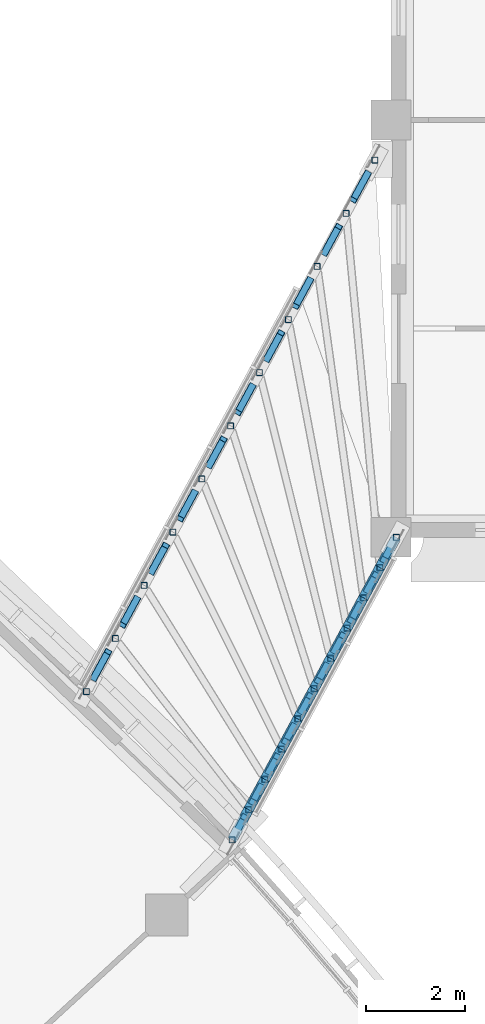
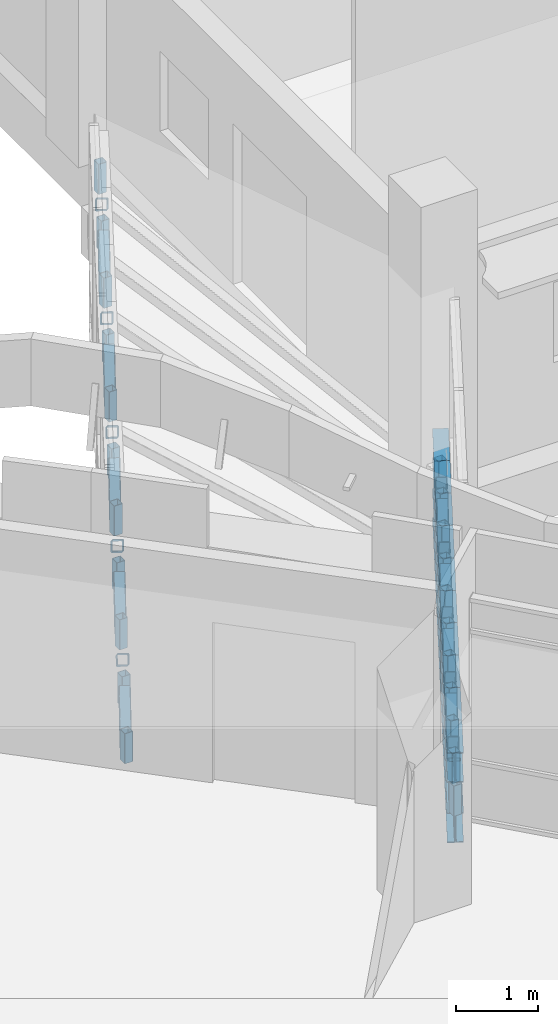
# One storey, part 39 of 136: 62 members.
"""IFC4 building model written with IfcOpenShell, lengths in metres."""

from ifc_helpers import new_model, si_unit, direction, frame, origin, origin_2d, place, context, subcontext, project, spatial, hollow_rectangle, i_section, extrude, material, material_profile, profile_set, type_object, element, save


model = new_model("IFC4")

# Units and contexts
model_context = context("Model", 3, precision=1e-05, world=origin(), true_north=direction((0.0, 1.0)))
body_context = subcontext(model_context, "Body", "Model", "MODEL_VIEW")
ifc_project = project(units=[si_unit("LENGTHUNIT", "METRE"), si_unit("AREAUNIT", "SQUARE_METRE"), si_unit("VOLUMEUNIT", "CUBIC_METRE"), si_unit("PLANEANGLEUNIT", "RADIAN"), si_unit("MASSUNIT", "GRAM", prefix="KILO")], contexts=[model_context])

# Site, building, storey
site_placement = place(None, origin())
site = spatial("IfcSite", under=ifc_project, at=site_placement, CompositionType="ELEMENT")
building_placement = place(site_placement, origin())
building = spatial("IfcBuilding", under=site, at=building_placement, Name="Bougainvillea Quay General Hospital", CompositionType="ELEMENT")
storey_placement = place(building_placement, frame((0.0, 0.0, 5.39990234375)))
storey = spatial("IfcBuildingStorey", under=building, at=storey_placement, Name="L01", CompositionType="ELEMENT", Elevation=5.39990234375)

# Members
ifc_material = material(Name="Steel Q355", Category="steel")
ifc_material_profile_1 = material_profile(ifc_material, i_section(OverallWidth=0.199951171875, OverallDepth=0.449951171875, WebThickness=0.009033203125, FlangeThickness=0.013916015625, FilletRadius=0.012939453125, at=origin_2d()))
ifc_profile_set_1 = profile_set([ifc_material_profile_1], Name="Steel Q355")
member_type_1 = type_object("IfcMemberType", Name="HN 450x200x9x14 Q355 CHORD", PredefinedType="CHORD", material=ifc_profile_set_1)
for number, where, z_axis, x_axis, name in (
    (1, (160.599365234375, 69.51025390625, -0.344970703125), (0.477122968057, 0.878836545299, 0.0), (-0.878836545299, 0.477122968057, 0.0), "Bottom chord"),
    (2, (160.599365234375, 69.51025390625, 0.55517578125), (0.477122968057, 0.878836545299, 0.0), (-0.878836545299, 0.477122968057, 0.0), "Top chord"),
):
    element("IfcMember", number, at=place(storey_placement, frame(where, z_axis=z_axis, x_axis=x_axis)), inside=storey, type_object=member_type_1, Name=name, PredefinedType="CHORD", context=body_context, shape_type="SweptSolid", body=[
        extrude(i_section(OverallWidth=0.199951171875, OverallDepth=0.449951171875, WebThickness=0.009033203125, FlangeThickness=0.013916015625, FilletRadius=0.012939453125, at=origin_2d()), origin(), (0.0, 0.0, 1.0), 0.69287109375),
    ])
for number, where, z_axis, x_axis, name in (
    (3, (160.929931640625, 70.119140625, -0.344970703125), (0.476975249375, 0.878916726137, 0.0), (-0.878916726137, 0.476975249375, 0.0), "Bottom chord"),
    (4, (160.929931640625, 70.119140625, 0.55517578125), (0.476975249375, 0.878916726137, 0.0), (-0.878916726137, 0.476975249375, 0.0), "Top chord"),
):
    element("IfcMember", number, at=place(storey_placement, frame(where, z_axis=z_axis, x_axis=x_axis)), inside=storey, type_object=member_type_1, Name=name, PredefinedType="CHORD", context=body_context, shape_type="SweptSolid", body=[
        extrude(i_section(OverallWidth=0.199951171875, OverallDepth=0.449951171875, WebThickness=0.009033203125, FlangeThickness=0.013916015625, FilletRadius=0.012939453125, at=origin_2d()), origin(), (0.0, 0.0, 1.0), 0.693115234375),
    ])
for number, where, z_axis, x_axis, name in (
    (5, (161.260498046875, 70.728271484375, -0.344970703125), (0.477122968057, 0.878836545299, 0.0), (-0.878836545299, 0.477122968057, 0.0), "Bottom chord"),
    (6, (161.260498046875, 70.728271484375, 0.55517578125), (0.477122968057, 0.878836545299, 0.0), (-0.878836545299, 0.477122968057, 0.0), "Top chord"),
):
    element("IfcMember", number, at=place(storey_placement, frame(where, z_axis=z_axis, x_axis=x_axis)), inside=storey, type_object=member_type_1, Name=name, PredefinedType="CHORD", context=body_context, shape_type="SweptSolid", body=[
        extrude(i_section(OverallWidth=0.199951171875, OverallDepth=0.449951171875, WebThickness=0.009033203125, FlangeThickness=0.013916015625, FilletRadius=0.012939453125, at=origin_2d()), origin(), (0.0, 0.0, 1.0), 0.69287109375),
    ])
for number, where, z_axis, x_axis, name in (
    (7, (161.591064453125, 71.337158203125, -0.344970703125), (0.476850737174, 0.878984285671, 0.0), (-0.878984285671, 0.476850737174, 0.0), "Bottom chord"),
    (8, (161.591064453125, 71.337158203125, 0.55517578125), (0.476850737174, 0.878984285671, 0.0), (-0.878984285671, 0.476850737174, 0.0), "Top chord"),
):
    element("IfcMember", number, at=place(storey_placement, frame(where, z_axis=z_axis, x_axis=x_axis)), inside=storey, type_object=member_type_1, Name=name, PredefinedType="CHORD", context=body_context, shape_type="SweptSolid", body=[
        extrude(i_section(OverallWidth=0.199951171875, OverallDepth=0.449951171875, WebThickness=0.009033203125, FlangeThickness=0.013916015625, FilletRadius=0.012939453125, at=origin_2d()), origin(), (0.0, 0.0, 1.0), 0.692626953125),
    ])
for number, where, z_axis, x_axis, name in (
    (9, (161.92138671875, 71.946044921875, -0.344970703125), (0.476975249375, 0.878916726137, 0.0), (-0.878916726137, 0.476975249375, 0.0), "Bottom chord"),
    (10, (161.92138671875, 71.946044921875, 0.55517578125), (0.476975249375, 0.878916726137, 0.0), (-0.878916726137, 0.476975249375, 0.0), "Top chord"),
):
    element("IfcMember", number, at=place(storey_placement, frame(where, z_axis=z_axis, x_axis=x_axis)), inside=storey, type_object=member_type_1, Name=name, PredefinedType="CHORD", context=body_context, shape_type="SweptSolid", body=[
        extrude(i_section(OverallWidth=0.199951171875, OverallDepth=0.449951171875, WebThickness=0.009033203125, FlangeThickness=0.013916015625, FilletRadius=0.012939453125, at=origin_2d()), origin(), (0.0, 0.0, 1.0), 0.693115234375),
    ])
for number, where, z_axis, x_axis, name in (
    (11, (162.251953125, 72.55517578125, -0.344970703125), (0.477122968057, 0.878836545299, 0.0), (-0.878836545299, 0.477122968057, 0.0), "Bottom chord"),
    (12, (162.251953125, 72.55517578125, 0.55517578125), (0.477122968057, 0.878836545299, 0.0), (-0.878836545299, 0.477122968057, 0.0), "Top chord"),
    (13, (162.58251953125, 73.1640625, -0.344970703125), (0.477122968057, 0.878836545299, 0.0), (-0.878836545299, 0.477122968057, 0.0), "Bottom chord"),
    (14, (162.58251953125, 73.1640625, 0.55517578125), (0.477122968057, 0.878836545299, 0.0), (-0.878836545299, 0.477122968057, 0.0), "Top chord"),
):
    element("IfcMember", number, at=place(storey_placement, frame(where, z_axis=z_axis, x_axis=x_axis)), inside=storey, type_object=member_type_1, Name=name, PredefinedType="CHORD", context=body_context, shape_type="SweptSolid", body=[
        extrude(i_section(OverallWidth=0.199951171875, OverallDepth=0.449951171875, WebThickness=0.009033203125, FlangeThickness=0.013916015625, FilletRadius=0.012939453125, at=origin_2d()), origin(), (0.0, 0.0, 1.0), 0.69287109375),
    ])
for number, where, z_axis, x_axis, name in (
    (15, (162.9130859375, 73.77294921875, -0.344970703125), (0.476975249375, 0.878916726137, 0.0), (-0.878916726137, 0.476975249375, 0.0), "Bottom chord"),
    (16, (162.9130859375, 73.77294921875, 0.55517578125), (0.476975249375, 0.878916726137, 0.0), (-0.878916726137, 0.476975249375, 0.0), "Top chord"),
):
    element("IfcMember", number, at=place(storey_placement, frame(where, z_axis=z_axis, x_axis=x_axis)), inside=storey, type_object=member_type_1, Name=name, PredefinedType="CHORD", context=body_context, shape_type="SweptSolid", body=[
        extrude(i_section(OverallWidth=0.199951171875, OverallDepth=0.449951171875, WebThickness=0.009033203125, FlangeThickness=0.013916015625, FilletRadius=0.012939453125, at=origin_2d()), origin(), (0.0, 0.0, 1.0), 0.693115234375),
    ])
for number, where, z_axis, x_axis, name in (
    (17, (163.24365234375, 74.382080078125, -0.344970703125), (0.476850737174, 0.878984285671, 0.0), (-0.878984285671, 0.476850737174, 0.0), "Bottom chord"),
    (18, (163.24365234375, 74.382080078125, 0.55517578125), (0.476850737174, 0.878984285671, 0.0), (-0.878984285671, 0.476850737174, 0.0), "Top chord"),
):
    element("IfcMember", number, at=place(storey_placement, frame(where, z_axis=z_axis, x_axis=x_axis)), inside=storey, type_object=member_type_1, Name=name, PredefinedType="CHORD", context=body_context, shape_type="SweptSolid", body=[
        extrude(i_section(OverallWidth=0.199951171875, OverallDepth=0.449951171875, WebThickness=0.009033203125, FlangeThickness=0.013916015625, FilletRadius=0.012939453125, at=origin_2d()), origin(), (0.0, 0.0, 1.0), 0.692626953125),
    ])
for number, where, z_axis, x_axis, name in (
    (19, (163.573974609375, 74.990966796875, -0.344970703125), (0.476975249375, 0.878916726137, 0.0), (-0.878916726137, 0.476975249375, 0.0), "Bottom chord"),
    (20, (163.573974609375, 74.990966796875, 0.55517578125), (0.476975249375, 0.878916726137, 0.0), (-0.878916726137, 0.476975249375, 0.0), "Top chord"),
):
    element("IfcMember", number, at=place(storey_placement, frame(where, z_axis=z_axis, x_axis=x_axis)), inside=storey, type_object=member_type_1, Name=name, PredefinedType="CHORD", context=body_context, shape_type="SweptSolid", body=[
        extrude(i_section(OverallWidth=0.199951171875, OverallDepth=0.449951171875, WebThickness=0.009033203125, FlangeThickness=0.013916015625, FilletRadius=0.012939453125, at=origin_2d()), origin(), (0.0, 0.0, 1.0), 0.693115234375),
    ])
ifc_material_profile_2 = material_profile(ifc_material, hollow_rectangle(XDim=0.1201171875, YDim=0.1201171875, WallThickness=0.0048828125, InnerFilletRadius=0.0048828125, OuterFilletRadius=0.010009765625, at=origin_2d()))
ifc_profile_set_2 = profile_set([ifc_material_profile_2], Name="Steel Q355")
member_type_2 = type_object("IfcMemberType", Name="SHS 120x120x5 Q355 POST", PredefinedType="POST", material=ifc_profile_set_2)
for number, where, z_axis, x_axis, name in (
    (21, (157.668212890625, 72.4951171875, -0.119873046875), (0.0, 0.0, 1.0), (1.0, 0.0, 0.0), "Truss post"),
    (22, (158.248779296875, 73.564697265625, -0.119873046875), (0.0, 0.0, 1.0), (1.0, 0.0, 0.0), "Truss post"),
    (23, (158.829345703125, 74.63427734375, -0.119873046875), (0.0, 0.0, 1.0), (1.0, 0.0, 0.0), "Truss post"),
    (24, (159.409912109375, 75.703857421875, -0.119873046875), (0.0, 0.0, 1.0), (1.0, 0.0, 0.0), "Truss post"),
    (25, (159.990234375, 76.7734375, -0.119873046875), (0.0, 0.0, 1.0), (1.0, 0.0, 0.0), "Truss post"),
    (26, (160.57080078125, 77.843017578125, -0.119873046875), (0.0, 0.0, 1.0), (1.0, 0.0, 0.0), "Truss post"),
    (27, (161.1513671875, 78.91259765625, -0.119873046875), (0.0, 0.0, 1.0), (1.0, 0.0, 0.0), "Truss post"),
    (28, (161.731689453125, 79.982177734375, -0.119873046875), (0.0, 0.0, 1.0), (1.0, 0.0, 0.0), "Truss post"),
    (29, (162.312255859375, 81.051513671875, -0.119873046875), (0.0, 0.0, 1.0), (1.0, 0.0, 0.0), "Truss post"),
    (30, (162.892822265625, 82.12109375, -0.119873046875), (0.0, 0.0, 1.0), (1.0, 0.0, 0.0), "Truss post"),
    (31, (163.47314453125, 83.190673828125, -0.119873046875), (0.0, 0.0, 1.0), (1.0, 0.0, 0.0), "Truss post"),
    (32, (160.599365234375, 69.51025390625, -0.119873046875), (0.0, 0.0, 1.0), (1.0, 0.0, 0.0), "Truss post"),
    (33, (160.929931640625, 70.119140625, -0.119873046875), (0.0, 0.0, 1.0), (1.0, 0.0, 0.0), "Truss post"),
    (34, (161.260498046875, 70.728271484375, -0.119873046875), (0.0, 0.0, 1.0), (1.0, 0.0, 0.0), "Truss post"),
    (35, (161.591064453125, 71.337158203125, -0.119873046875), (0.0, 0.0, 1.0), (1.0, 0.0, 0.0), "Truss post"),
    (36, (161.92138671875, 71.946044921875, -0.119873046875), (0.0, 0.0, 1.0), (1.0, 0.0, 0.0), "Truss post"),
    (37, (162.251953125, 72.55517578125, -0.119873046875), (0.0, 0.0, 1.0), (1.0, 0.0, 0.0), "Truss post"),
    (38, (162.58251953125, 73.1640625, -0.119873046875), (0.0, 0.0, 1.0), (1.0, 0.0, 0.0), "Truss post"),
    (39, (162.9130859375, 73.77294921875, -0.119873046875), (0.0, 0.0, 1.0), (1.0, 0.0, 0.0), "Truss post"),
    (40, (163.24365234375, 74.382080078125, -0.119873046875), (0.0, 0.0, 1.0), (1.0, 0.0, 0.0), "Truss post"),
    (41, (163.573974609375, 74.990966796875, -0.119873046875), (0.0, 0.0, 1.0), (1.0, 0.0, 0.0), "Truss post"),
    (42, (163.904541015625, 75.60009765625, -0.119873046875), (0.0, 0.0, 1.0), (1.0, 0.0, 0.0), "Truss post"),
):
    element("IfcMember", number, at=place(storey_placement, frame(where, z_axis=z_axis, x_axis=x_axis)), inside=storey, type_object=member_type_2, Name=name, PredefinedType="POST", context=body_context, shape_type="SweptSolid", body=[
        extrude(hollow_rectangle(XDim=0.1201171875, YDim=0.1201171875, WallThickness=0.0048828125, InnerFilletRadius=0.0048828125, OuterFilletRadius=0.010009765625, at=origin_2d()), origin(), (0.0, 0.0, 1.0), 0.449951171875),
    ])
ifc_material_profile_3 = material_profile(ifc_material, hollow_rectangle(XDim=0.14990234375, YDim=0.14990234375, WallThickness=0.008056640625, InnerFilletRadius=0.008056640625, OuterFilletRadius=0.01611328125, at=origin_2d()))
ifc_profile_set_3 = profile_set([ifc_material_profile_3], Name="Steel Q355")
member_type_3 = type_object("IfcMemberType", Name="SHS 150x150x8 Q355 BRACE", PredefinedType="BRACE", material=ifc_profile_set_3)
for number, where, z_axis, x_axis, name in (
    (43, (157.8134765625, 72.7626953125, -0.119873046875), (0.3836188501, 0.706581397577, 0.59462534965), (-0.878829393516, 0.477136141046, 0.0), "Truss diagonal"),
    (44, (158.68408203125, 74.366943359375, -0.119873046875), (-0.383343639904, -0.706668831136, 0.594698929582), (0.878997641311, -0.476826117752, 0.0), "Truss diagonal"),
):
    element("IfcMember", number, at=place(storey_placement, frame(where, z_axis=z_axis, x_axis=x_axis)), inside=storey, type_object=member_type_3, Name=name, PredefinedType="BRACE", context=body_context, shape_type="SweptSolid", body=[
        extrude(hollow_rectangle(XDim=0.14990234375, YDim=0.14990234375, WallThickness=0.008056640625, InnerFilletRadius=0.008056640625, OuterFilletRadius=0.01611328125, at=origin_2d()), origin(), (0.0, 0.0, 1.0), 0.756591796875),
    ])
for number, where, z_axis, x_axis, name in (
    (45, (158.974365234375, 74.901611328125, -0.119873046875), (0.383531405931, 0.706742901931, 0.594489807512), (-0.878920702894, 0.476967921379, 0.0), "Truss diagonal"),
    (46, (159.84521484375, 76.506103515625, -0.119873046875), (-0.383531405931, -0.706742901931, 0.594489807512), (0.878920702894, -0.476967921379, 0.0), "Truss diagonal"),
    (47, (160.135498046875, 77.040771484375, -0.119873046875), (0.383531405931, 0.706742901931, 0.594489807512), (-0.878920702894, 0.476967921379, 0.0), "Truss diagonal"),
):
    element("IfcMember", number, at=place(storey_placement, frame(where, z_axis=z_axis, x_axis=x_axis)), inside=storey, type_object=member_type_3, Name=name, PredefinedType="BRACE", context=body_context, shape_type="SweptSolid", body=[
        extrude(hollow_rectangle(XDim=0.14990234375, YDim=0.14990234375, WallThickness=0.008056640625, InnerFilletRadius=0.008056640625, OuterFilletRadius=0.01611328125, at=origin_2d()), origin(), (0.0, 0.0, 1.0), 0.7568359375),
    ])
for number, where, z_axis, x_axis, name in (
    (48, (161.006103515625, 78.64501953125, -0.119873046875), (-0.3836188501, -0.706581397577, 0.59462534965), (0.878829393516, -0.477136141046, 0.0), "Truss diagonal"),
    (49, (161.29638671875, 79.179931640625, -0.119873046875), (0.3836188501, 0.706581397577, 0.59462534965), (-0.878829393516, 0.477136141046, 0.0), "Truss diagonal"),
    (50, (162.167236328125, 80.7841796875, -0.119873046875), (-0.3836188501, -0.706581397577, 0.59462534965), (0.878829393516, -0.477136141046, 0.0), "Truss diagonal"),
    (51, (162.45751953125, 81.319091796875, -0.119873046875), (0.383343639904, 0.706668831136, 0.594698929582), (-0.878997641311, 0.476826117752, 0.0), "Truss diagonal"),
    (52, (163.328125, 82.92333984375, -0.119873046875), (-0.3836188501, -0.706581397577, 0.59462534965), (0.878829393516, -0.477136141046, 0.0), "Truss diagonal"),
):
    element("IfcMember", number, at=place(storey_placement, frame(where, z_axis=z_axis, x_axis=x_axis)), inside=storey, type_object=member_type_3, Name=name, PredefinedType="BRACE", context=body_context, shape_type="SweptSolid", body=[
        extrude(hollow_rectangle(XDim=0.14990234375, YDim=0.14990234375, WallThickness=0.008056640625, InnerFilletRadius=0.008056640625, OuterFilletRadius=0.01611328125, at=origin_2d()), origin(), (0.0, 0.0, 1.0), 0.756591796875),
    ])
for number, where, z_axis, x_axis, name in (
    (53, (160.68212890625, 69.662353515625, -0.119873046875), (0.290604779118, 0.536501130679, 0.79228492295), (-0.879291966537, 0.476283148541, 0.0), "Truss diagonal"),
    (54, (161.177734375, 70.575927734375, -0.119873046875), (-0.291065383635, -0.536127818896, 0.792368540678), (0.878836545299, -0.477122968057, 0.0), "Truss diagonal"),
    (55, (161.343017578125, 70.88037109375, -0.119873046875), (0.291065383635, 0.536127818896, 0.792368540678), (-0.878836545299, 0.477122968057, 0.0), "Truss diagonal"),
    (56, (161.8388671875, 71.7939453125, -0.119873046875), (-0.291065383635, -0.536127818896, 0.792368540678), (0.878836545299, -0.477122968057, 0.0), "Truss diagonal"),
    (57, (162.004150390625, 72.098388671875, -0.119873046875), (0.291065383635, 0.536127818896, 0.792368540678), (-0.878836545299, 0.477122968057, 0.0), "Truss diagonal"),
    (58, (162.5, 73.011962890625, -0.119873046875), (-0.290998289477, -0.536434069819, 0.792185889965), (0.878996832535, -0.476827608675, 0.0), "Truss diagonal"),
    (59, (162.6650390625, 73.31640625, -0.119873046875), (0.291065383635, 0.536127818896, 0.792368540678), (-0.878836545299, 0.477122968057, 0.0), "Truss diagonal"),
    (60, (163.160888671875, 74.229736328125, -0.119873046875), (-0.291065383635, -0.536127818896, 0.792368540678), (0.878836545299, -0.477122968057, 0.0), "Truss diagonal"),
    (61, (163.326171875, 74.5341796875, -0.119873046875), (0.290998289477, 0.536434069819, 0.792185889965), (-0.878996832535, 0.476827608675, 0.0), "Truss diagonal"),
    (62, (163.822021484375, 75.44775390625, -0.119873046875), (-0.291065383635, -0.536127818896, 0.792368540678), (0.878836545299, -0.477122968057, 0.0), "Truss diagonal"),
):
    element("IfcMember", number, at=place(storey_placement, frame(where, z_axis=z_axis, x_axis=x_axis)), inside=storey, type_object=member_type_3, Name=name, PredefinedType="BRACE", context=body_context, shape_type="SweptSolid", body=[
        extrude(hollow_rectangle(XDim=0.14990234375, YDim=0.14990234375, WallThickness=0.008056640625, InnerFilletRadius=0.008056640625, OuterFilletRadius=0.01611328125, at=origin_2d()), origin(), (0.0, 0.0, 1.0), 0.56787109375),
    ])

save(model, "model.ifc")
